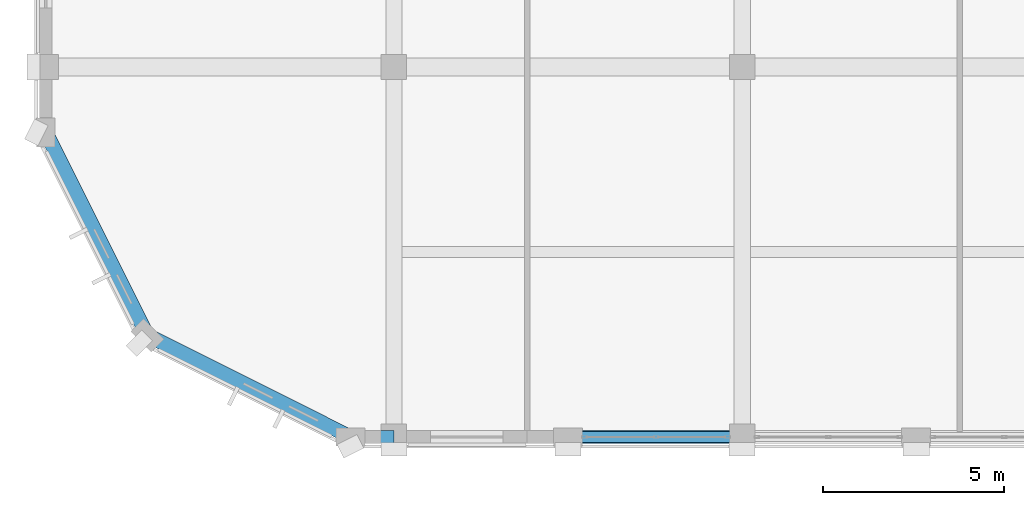
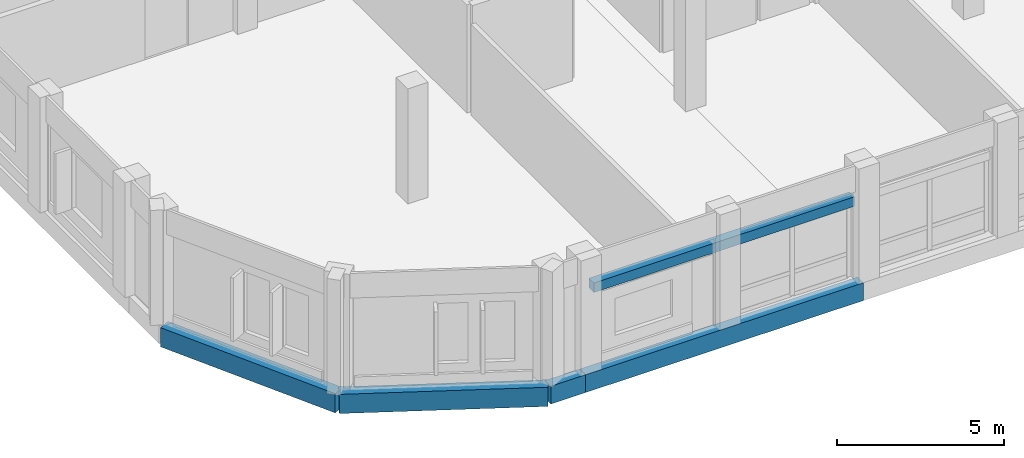
# One storey, part 19 of 185: 5 beams.
"""IFC4 building model written with IfcOpenShell, lengths in metres."""

from ifc_helpers import new_model, si_unit, direction, frame, origin, origin_2d, place, context, subcontext, project, spatial, rectangle, extrude, material, material_profile, profile_set, type_object, element, save


model = new_model("IFC4")

# Units and contexts
model_context = context("Model", 3, precision=1e-05, world=origin(), true_north=direction((0.0, 1.0)))
body_context = subcontext(model_context, "Body", "Model", "MODEL_VIEW")
ifc_project = project(units=[si_unit("LENGTHUNIT", "METRE"), si_unit("AREAUNIT", "SQUARE_METRE"), si_unit("VOLUMEUNIT", "CUBIC_METRE"), si_unit("PLANEANGLEUNIT", "RADIAN"), si_unit("MASSUNIT", "GRAM", prefix="KILO")], contexts=[model_context])

# Site, building, storey
site_placement = place(None, origin())
site = spatial("IfcSite", under=ifc_project, at=site_placement, CompositionType="ELEMENT")
building_placement = place(site_placement, origin())
building = spatial("IfcBuilding", under=site, at=building_placement, Name="Vondelvale Polytechnic", CompositionType="ELEMENT")
storey_placement = place(building_placement, frame((0.0, 0.0, 9.60009765625)))
storey = spatial("IfcBuildingStorey", under=building, at=storey_placement, Name="L02", CompositionType="ELEMENT", Elevation=9.60009765625)

# Beams
ifc_material = material(Name="Precast concrete N40 (f'c = 40 MPa)", Category="concrete")
ifc_material_profile_1 = material_profile(ifc_material, rectangle(XDim=0.300048828125, YDim=0.35009765625, at=origin_2d()), Name="RC-LNT-300x350")
ifc_profile_set_1 = profile_set([ifc_material_profile_1], Name="Precast concrete N40 (f'c = 40 MPa)")
beam_type_1 = type_object("IfcBeamType", Name="LNT-RC300x350", PredefinedType="LINTEL", material=ifc_profile_set_1)
beam_1_placement = place(storey_placement, frame((9.89990234375, 0.0, 2.77490234375), z_axis=(1.0, 0.0, 0.0), x_axis=(0.0, 1.0, 0.0)))
element("IfcBeam", 1, at=beam_1_placement, inside=storey, type_object=beam_type_1, Name="L02 LN LN-01", PredefinedType="LINTEL", context=body_context, shape_type="SweptSolid", body=[
    extrude(rectangle(XDim=0.300048828125, YDim=0.35009765625, at=origin_2d()), origin(), (0.0, 0.0, 1.0), 9.0),
])
ifc_material_profile_2 = material_profile(ifc_material, rectangle(XDim=0.35009765625, YDim=0.64990234375, at=origin_2d()), Name="RC-SPN-350x650")
ifc_profile_set_2 = profile_set([ifc_material_profile_2], Name="Precast concrete N40 (f'c = 40 MPa)")
beam_type_2 = type_object("IfcBeamType", Name="SPN-PRE350x650", PredefinedType="SPANDREL", material=ifc_profile_set_2)
beam_2_placement = place(storey_placement, frame((8.39990234375, 0.0, -0.60498046875), z_axis=(1.0, 0.0, 0.0), x_axis=(0.0, 1.0, 0.0)))
element("IfcBeam", 2, at=beam_2_placement, inside=storey, type_object=beam_type_2, Name="L02 B SP-02", PredefinedType="SPANDREL", context=body_context, shape_type="SweptSolid", body=[
    extrude(rectangle(XDim=0.35009765625, YDim=0.64990234375, at=origin_2d()), origin(), (0.0, 0.0, 1.0), 1.2001953125),
])
beam_3_placement = place(storey_placement, frame((9.60009765625, 0.0, -0.60498046875), z_axis=(1.0, 0.0, 0.0), x_axis=(0.0, 1.0, 0.0)))
element("IfcBeam", 3, at=beam_3_placement, inside=storey, type_object=beam_type_2, Name="L02 B SP-02", PredefinedType="SPANDREL", context=body_context, shape_type="SweptSolid", body=[
    extrude(rectangle(XDim=0.35009765625, YDim=0.64990234375, at=origin_2d()), origin(), (0.0, 0.0, 1.0), 9.599853515625),
])
ifc_material_profile_3 = material_profile(ifc_material, rectangle(XDim=0.39990234375, YDim=0.699951171875, at=origin_2d()), Name="RC-SPN-400x700")
ifc_profile_set_3 = profile_set([ifc_material_profile_3], Name="Precast concrete N40 (f'c = 40 MPa)")
beam_type_3 = type_object("IfcBeamType", Name="SPN-PRE400x700", PredefinedType="SPANDREL", material=ifc_profile_set_3)
for number, where, z_axis, x_axis, name in (
    (4, (8.39990234375, 0.0, -0.630126953125), (-0.894419391942, 0.447229193276, 0.0), (-0.447229193276, -0.894419391942, 0.0), "L02 SP SP-01"),
    (5, (2.800048828125, 2.800048828125, -0.630126953125), (-0.447229193276, 0.894419391942, 0.0), (-0.894419391942, -0.447229193276, 0.0), "L02 SP SP-01"),
):
    element("IfcBeam", number, at=place(storey_placement, frame(where, z_axis=z_axis, x_axis=x_axis)), inside=storey, type_object=beam_type_3, Name=name, PredefinedType="SPANDREL", context=body_context, shape_type="SweptSolid", body=[
        extrude(rectangle(XDim=0.39990234375, YDim=0.699951171875, at=origin_2d()), origin(), (0.0, 0.0, 1.0), 6.260986328125),
    ])

save(model, "model.ifc")
